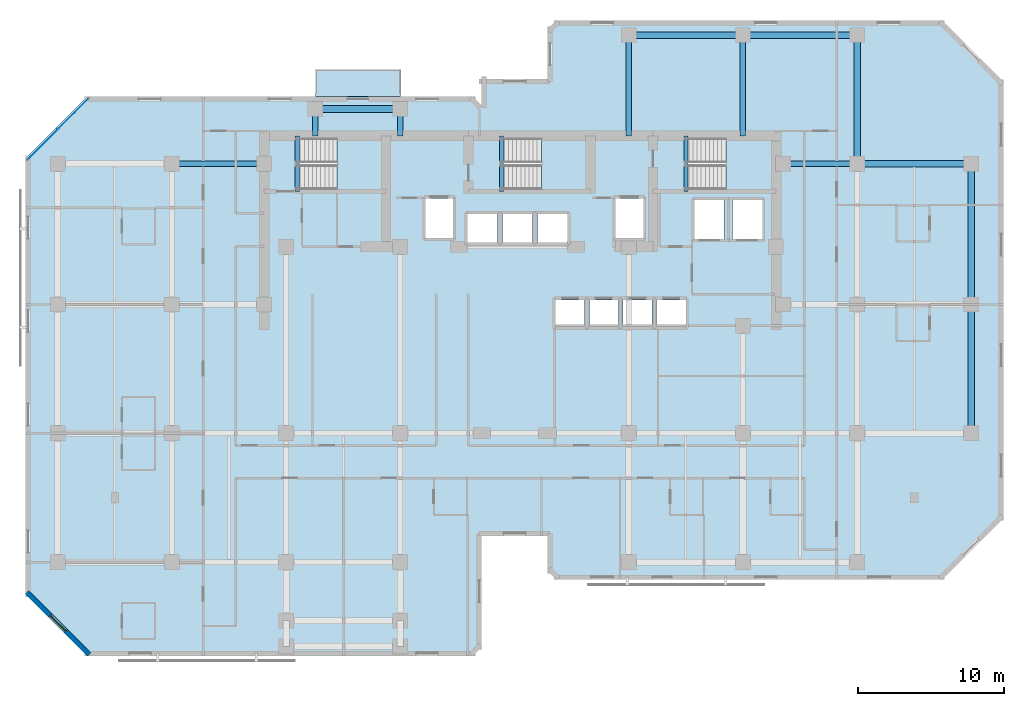
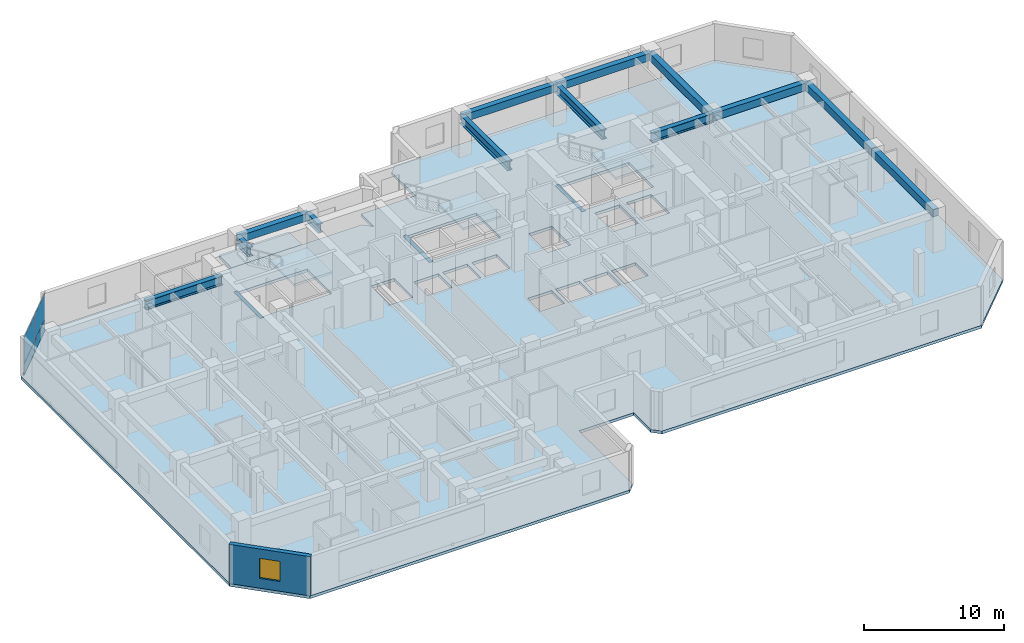
# One storey, part 3 of 11: 16 beams, 5 slabs, 4 plates, 1 wall, 1 window, 1 opening, 4 elements without a shape of their own.
"""IFC4 building model written with IfcOpenShell, lengths in metres."""

from ifc_helpers import new_model, si_unit, direction, frame, frame_2d, origin, origin_2d, place, context, subcontext, project, spatial, polyline, rectangle, i_section, outline, extrude, material, layer, layer_set, material_profile, profile_set, type_object, element, fill, aggregate, save


model = new_model("IFC4")

# Units and contexts
model_context = context("Model", 3, precision=1e-05, world=origin(), true_north=direction((0.0, 1.0)))
body_context = subcontext(model_context, "Body", "Model", "MODEL_VIEW")
ifc_project = project(units=[si_unit("LENGTHUNIT", "METRE"), si_unit("AREAUNIT", "SQUARE_METRE"), si_unit("VOLUMEUNIT", "CUBIC_METRE"), si_unit("PLANEANGLEUNIT", "RADIAN"), si_unit("MASSUNIT", "GRAM", prefix="KILO")], contexts=[model_context])

# Site, building, storey
site_placement = place(None, origin())
site = spatial("IfcSite", under=ifc_project, at=site_placement, CompositionType="ELEMENT")
building_placement = place(site_placement, origin())
building = spatial("IfcBuilding", under=site, at=building_placement, Name="Kestravale Grand Hotel", CompositionType="ELEMENT")
storey_placement = place(building_placement, frame((0.0, 0.0, 180.199951171875)))
storey = spatial("IfcBuildingStorey", under=building, at=storey_placement, Name="L45", CompositionType="ELEMENT", Elevation=180.199951171875)

# Beams
ifc_material_1 = material(Name="Concrete f'c 45 MPa", Category="concrete")
ifc_material_profile_1 = material_profile(ifc_material_1, rectangle(XDim=0.300048828125, YDim=0.39990234375, at=origin_2d()))
ifc_profile_set_1 = profile_set([ifc_material_profile_1], Name="Concrete f'c 45 MPa")
beam_type_1 = type_object("IfcBeamType", Name="B-FLR-LNT400", PredefinedType="LINTEL", material=ifc_profile_set_1)
for number, where, z_axis, x_axis, name in (
    (1, (24.159912109375, 36.52001953125, -0.199951171875), (0.0, 1.0, 0.0), (-1.0, 0.0, 0.0), "L45 ST1 flight bottom header beam"),
    (2, (38.110107421875, 36.52001953125, -0.199951171875), (0.0, 1.0, 0.0), (-1.0, 0.0, 0.0), "L45 ST2 flight bottom header beam"),
    (3, (50.7099609375, 36.52001953125, -0.199951171875), (0.0, 1.0, 0.0), (-1.0, 0.0, 0.0), "L45 ST3 flight bottom header beam"),
):
    element("IfcBeam", number, at=place(storey_placement, frame(where, z_axis=z_axis, x_axis=x_axis)), inside=storey, type_object=beam_type_1, Name=name, PredefinedType="LINTEL", context=body_context, shape_type="SweptSolid", body=[
        extrude(rectangle(XDim=0.300048828125, YDim=0.39990234375, at=origin_2d()), origin(), (0.0, 0.0, 1.0), 3.800048828125),
    ])
ifc_material_2 = material(Name="Concrete f'c 45 MPa", Category="concrete")
ifc_material_profile_2 = material_profile(ifc_material_2, rectangle(XDim=0.449951171875, YDim=0.64990234375, at=origin_2d()))
ifc_profile_set_2 = profile_set([ifc_material_profile_2], Name="Concrete f'c 45 MPa")
beam_type_2 = type_object("IfcBeamType", Name="B-FLR-RC650", PredefinedType="SPANDREL", material=ifc_profile_set_2)
for number, where, z_axis, x_axis, name in (
    (4, (62.39990234375, 38.39990234375, 3.094970703125), (1.0, 0.0, 0.0), (0.0, 1.0, 0.0), "L45 spandrel F:10-11"),
    (5, (46.800048828125, 47.199951171875, 3.094970703125), (1.0, 0.0, 0.0), (0.0, 1.0, 0.0), "L45 spandrel G:8-9"),
):
    element("IfcBeam", number, at=place(storey_placement, frame(where, z_axis=z_axis, x_axis=x_axis)), inside=storey, type_object=beam_type_2, Name=name, PredefinedType="SPANDREL", context=body_context, shape_type="SweptSolid", body=[
        extrude(rectangle(XDim=0.449951171875, YDim=0.64990234375, at=origin_2d()), origin(), (0.0, 0.0, 1.0), 7.800048828125),
    ])
beam_1_placement = place(storey_placement, frame((54.60009765625, 47.199951171875, 3.094970703125), z_axis=(1.0, 0.0, 0.0), x_axis=(0.0, 1.0, 0.0)))
element("IfcBeam", 6, at=beam_1_placement, inside=storey, type_object=beam_type_2, Name="L45 spandrel G:9-10", PredefinedType="SPANDREL", context=body_context, shape_type="SweptSolid", body=[
    extrude(rectangle(XDim=0.449951171875, YDim=0.64990234375, at=origin_2d()), origin(), (0.0, 0.0, 1.0), 7.7998046875),
])
beam_2_placement = place(storey_placement, frame((25.39990234375, 42.14990234375, 3.094970703125), z_axis=(1.0, 0.0, 0.0), x_axis=(0.0, 1.0, 0.0)))
element("IfcBeam", 7, at=beam_2_placement, inside=storey, type_object=beam_type_2, Name="L45 perimeter tie spandrel FN:4-5", PredefinedType="SPANDREL", context=body_context, shape_type="SweptSolid", body=[
    extrude(rectangle(XDim=0.449951171875, YDim=0.64990234375, at=origin_2d()), origin(), (0.0, 0.0, 1.0), 5.800048828125),
])
for number, where, z_axis, x_axis, name in (
    (8, (62.39990234375, 38.39990234375, 3.094970703125), (0.0, 1.0, 0.0), (-1.0, 0.0, 0.0), "L45 spandrel 10:F-G"),
    (9, (70.199951171875, 20.0, 3.094970703125), (0.0, 1.0, 0.0), (-1.0, 0.0, 0.0), "L45 spandrel 11:D-E"),
):
    element("IfcBeam", number, at=place(storey_placement, frame(where, z_axis=z_axis, x_axis=x_axis)), inside=storey, type_object=beam_type_2, Name=name, PredefinedType="SPANDREL", context=body_context, shape_type="SweptSolid", body=[
        extrude(rectangle(XDim=0.449951171875, YDim=0.64990234375, at=origin_2d()), origin(), (0.0, 0.0, 1.0), 8.800048828125),
    ])
beam_3_placement = place(storey_placement, frame((70.199951171875, 28.800048828125, 3.094970703125), z_axis=(0.0, 1.0, 0.0), x_axis=(-1.0, 0.0, 0.0)))
element("IfcBeam", 10, at=beam_3_placement, inside=storey, type_object=beam_type_2, Name="L45 spandrel 11:E-F", PredefinedType="SPANDREL", context=body_context, shape_type="SweptSolid", body=[
    extrude(rectangle(XDim=0.449951171875, YDim=0.64990234375, at=origin_2d()), origin(), (0.0, 0.0, 1.0), 9.599853515625),
])
ifc_material_3 = material(Name="Steel ASTM A992 Grade 50", Category="steel")
ifc_material_profile_3 = material_profile(ifc_material_3, i_section(OverallWidth=0.381103515625, OverallDepth=0.77197265625, WebThickness=0.0166015625, FlangeThickness=0.027099609375, FilletRadius=0.023681640625, at=origin_2d()))
ifc_profile_set_3 = profile_set([ifc_material_profile_3], Name="Steel ASTM A992 Grade 50")
beam_type_3 = type_object("IfcBeamType", Name="B-GRD-W30", PredefinedType="BEAM", material=ifc_profile_set_3)
beam_4_placement = place(storey_placement, frame((15.60009765625, 38.39990234375, 3.033935546875), z_axis=(1.0, 0.0, 0.0), x_axis=(0.0, 1.0, 0.0)))
element("IfcBeam", 11, at=beam_4_placement, inside=storey, type_object=beam_type_3, Name="L45 girder F:3-CW", PredefinedType="BEAM", context=body_context, shape_type="SweptSolid", body=[
    extrude(i_section(OverallWidth=0.381103515625, OverallDepth=0.77197265625, WebThickness=0.0166015625, FlangeThickness=0.027099609375, FilletRadius=0.023681640625, at=origin_2d()), origin(), (0.0, 0.0, 1.0), 6.2998046875),
])
beam_5_placement = place(storey_placement, frame((57.35009765625, 38.39990234375, 3.033935546875), z_axis=(1.0, 0.0, 0.0), x_axis=(0.0, 1.0, 0.0)))
element("IfcBeam", 12, at=beam_5_placement, inside=storey, type_object=beam_type_3, Name="L45 girder F:CE-10", PredefinedType="BEAM", context=body_context, shape_type="SweptSolid", body=[
    extrude(i_section(OverallWidth=0.381103515625, OverallDepth=0.77197265625, WebThickness=0.0166015625, FlangeThickness=0.027099609375, FilletRadius=0.023681640625, at=origin_2d()), origin(), (0.0, 0.0, 1.0), 5.0498046875),
])
for number, where, z_axis, x_axis, name in (
    (13, (25.39990234375, 40.320068359375, 3.033935546875), (0.0, 1.0, 0.0), (-1.0, 0.0, 0.0), "L45 north wing tie girder 4:CN-FN"),
    (14, (31.199951171875, 40.320068359375, 3.033935546875), (0.0, 1.0, 0.0), (-1.0, 0.0, 0.0), "L45 north wing tie girder 5:CN-FN"),
):
    element("IfcBeam", number, at=place(storey_placement, frame(where, z_axis=z_axis, x_axis=x_axis)), inside=storey, type_object=beam_type_3, Name=name, PredefinedType="BEAM", context=body_context, shape_type="SweptSolid", body=[
        extrude(i_section(OverallWidth=0.381103515625, OverallDepth=0.77197265625, WebThickness=0.0166015625, FlangeThickness=0.027099609375, FilletRadius=0.023681640625, at=origin_2d()), origin(), (0.0, 0.0, 1.0), 1.829833984375),
    ])
for number, where, z_axis, x_axis, name in (
    (15, (46.800048828125, 40.320068359375, 3.033935546875), (0.0, 1.0, 0.0), (-1.0, 0.0, 0.0), "L45 north wing tie girder 8:CN-G"),
    (16, (54.60009765625, 40.320068359375, 3.033935546875), (0.0, 1.0, 0.0), (-1.0, 0.0, 0.0), "L45 north wing tie girder 9:CN-G"),
):
    element("IfcBeam", number, at=place(storey_placement, frame(where, z_axis=z_axis, x_axis=x_axis)), inside=storey, type_object=beam_type_3, Name=name, PredefinedType="BEAM", context=body_context, shape_type="SweptSolid", body=[
        extrude(i_section(OverallWidth=0.381103515625, OverallDepth=0.77197265625, WebThickness=0.0166015625, FlangeThickness=0.027099609375, FilletRadius=0.023681640625, at=origin_2d()), origin(), (0.0, 0.0, 1.0), 6.8798828125),
    ])

# Curtain wall, plates
ifc_material_4 = material(Name="Thermally broken champagne-bronze aluminium and low-E glazing", Category="aluminium")
ifc_layer_1 = layer(ifc_material_4, 0.179931640625)
ifc_layer_set_1 = layer_set([ifc_layer_1], Name="CW-Z3")
curtain_wall_type = type_object("IfcCurtainWallType", Name="CW-Z3", PredefinedType="NOTDEFINED", material=ifc_layer_set_1)
curtain_wall_placement = place(storey_placement, origin())
curtain_wall = element("IfcCurtainWall", 17, at=curtain_wall_placement, inside=storey, type_object=curtain_wall_type, Name="L45 unitised curtain wall 18", PredefinedType="NOTDEFINED")
ifc_material_5 = material(Name="Insulated clear low-E double glazing IGU", Category="glass")
ifc_layer_2 = layer(ifc_material_5, 0.031982421875)
ifc_layer_set_2 = layer_set([ifc_layer_2], Name="CW-PNL-32")
plate_type = type_object("IfcPlateType", Name="CW-PNL-32", PredefinedType="CURTAIN_PANEL", material=ifc_layer_set_2)
plate_1_placement = place(storey_placement, frame((8.86572265625, 41.825439453125, 0.06494140625), z_axis=(0.0, 0.0, 1.0), x_axis=(-0.707106781187, -0.707106781187, 0.0)))
plate_1 = element("IfcPlate", 18, at=plate_1_placement, type_object=plate_type, Name="CW-Z3 panel 1.1", PredefinedType="CURTAIN_PANEL", context=body_context, shape_type="SweptSolid", body=[
    extrude(rectangle(XDim=2.892333984375, YDim=0.031982421875, at=origin_2d()), origin(), (0.0, 0.0, 1.0), 0.952392578125),
])
plate_2_placement = place(storey_placement, frame((8.86572265625, 41.825439453125, 1.08251953125), z_axis=(0.0, 0.0, 1.0), x_axis=(-0.707106781187, -0.707106781187, 0.0)))
plate_2 = element("IfcPlate", 19, at=plate_2_placement, type_object=plate_type, Name="CW-Z3 panel 1.2", PredefinedType="CURTAIN_PANEL", context=body_context, shape_type="SweptSolid", body=[
    extrude(rectangle(XDim=2.892333984375, YDim=0.031982421875, at=origin_2d()), origin(), (0.0, 0.0, 1.0), 2.2724609375),
])
plate_3_placement = place(storey_placement, frame((6.774658203125, 39.734130859375, 0.06494140625), z_axis=(0.0, 0.0, 1.0), x_axis=(-0.707106781187, -0.707106781187, 0.0)))
plate_3 = element("IfcPlate", 20, at=plate_3_placement, type_object=plate_type, Name="CW-Z3 panel 2.1", PredefinedType="CURTAIN_PANEL", context=body_context, shape_type="SweptSolid", body=[
    extrude(rectangle(XDim=2.892333984375, YDim=0.031982421875, at=origin_2d()), origin(), (0.0, 0.0, 1.0), 0.952392578125),
])
plate_4_placement = place(storey_placement, frame((6.774658203125, 39.734130859375, 1.08251953125), z_axis=(0.0, 0.0, 1.0), x_axis=(-0.707106781187, -0.707106781187, 0.0)))
plate_4 = element("IfcPlate", 21, at=plate_4_placement, type_object=plate_type, Name="CW-Z3 panel 2.2", PredefinedType="CURTAIN_PANEL", context=body_context, shape_type="SweptSolid", body=[
    extrude(rectangle(XDim=2.892333984375, YDim=0.031982421875, at=origin_2d()), origin(), (0.0, 0.0, 1.0), 2.2724609375),
])
aggregate(curtain_wall, [plate_1, plate_2, plate_3, plate_4])

# Slab
ifc_material_6 = material(Name="Concrete f'c 45 MPa", Category="concrete")
ifc_layer_3 = layer(ifc_material_6, 0.27001953125)
ifc_layer_set_3 = layer_set([ifc_layer_3], Name="ES-TERR-270")
slab_type_1 = type_object("IfcSlabType", Name="ES-TERR-270", PredefinedType="FLOOR", material=ifc_layer_set_3)
slab_1_placement = place(storey_placement, frame((0.0, 0.0, -0.27001953125)))
element("IfcSlab", 22, at=slab_1_placement, inside=storey, type_object=slab_type_1, Name="L45 spiralling planted garden terrace", PredefinedType="FLOOR", context=body_context, shape_type="SweptSolid", body=[
    extrude(outline(polyline([(25.39990234375, 43.0), (31.199951171875, 43.0), (31.199951171875, 44.85009765625), (25.39990234375, 44.85009765625), (25.39990234375, 43.0)])), origin(), (0.0, 0.0, 1.0), 0.27001953125),
])

# Stair, slab
ifc_material_7 = material(Name="Concrete f'c 45 MPa", Category="concrete")
stair_type = type_object("IfcStairType", Name="ST-CORE-380", PredefinedType="HALF_TURN_STAIR", material=ifc_material_7)
stair_1_placement = place(storey_placement, origin())
stair_1 = element("IfcStair", 23, at=stair_1_placement, inside=storey, type_object=stair_type, Name="L45 ST-1", PredefinedType="HALF_TURN_STAIR")
ifc_material_8 = material(Name="Concrete f'c 45 MPa", Category="concrete")
ifc_layer_4 = layer(ifc_material_8, 0.199951171875)
ifc_layer_set_4 = layer_set([ifc_layer_4], Name="SLB-ST-LND200")
slab_type_2 = type_object("IfcSlabType", Name="SLB-ST-LND200", PredefinedType="LANDING", material=ifc_layer_set_4)
slab_2_placement = place(storey_placement, frame((0.0, 0.0, 1.699951171875)))
slab_2 = element("IfcSlab", 24, at=slab_2_placement, type_object=slab_type_2, Name="ST-1 landing 1", PredefinedType="LANDING", context=body_context, shape_type="SweptSolid", body=[
    extrude(outline(polyline([(26.8798828125, 36.64990234375), (30.0, 36.64990234375), (30.0, 40.159912109375), (26.8798828125, 40.159912109375), (26.8798828125, 36.64990234375)])), origin(), (0.0, 0.0, 1.0), 0.2001953125),
])
aggregate(stair_1, [slab_2])

stair_2_placement = place(storey_placement, origin())
stair_2 = element("IfcStair", 25, at=stair_2_placement, inside=storey, type_object=stair_type, Name="L45 ST-2", PredefinedType="HALF_TURN_STAIR")
slab_3_placement = place(storey_placement, frame((0.0, 0.0, 1.699951171875)))
slab_3 = element("IfcSlab", 26, at=slab_3_placement, type_object=slab_type_2, Name="ST-2 landing 1", PredefinedType="LANDING", context=body_context, shape_type="SweptSolid", body=[
    extrude(outline(polyline([(40.830078125, 36.64990234375), (43.949951171875, 36.64990234375), (43.949951171875, 40.159912109375), (40.830078125, 40.159912109375), (40.830078125, 36.64990234375)])), origin(), (0.0, 0.0, 1.0), 0.2001953125),
])
aggregate(stair_2, [slab_3])

stair_3_placement = place(storey_placement, origin())
stair_3 = element("IfcStair", 27, at=stair_3_placement, inside=storey, type_object=stair_type, Name="L45 ST-3", PredefinedType="HALF_TURN_STAIR")
slab_4_placement = place(storey_placement, frame((0.0, 0.0, 1.699951171875)))
slab_4 = element("IfcSlab", 28, at=slab_4_placement, type_object=slab_type_2, Name="ST-3 landing 1", PredefinedType="LANDING", context=body_context, shape_type="SweptSolid", body=[
    extrude(outline(polyline([(53.429931640625, 36.64990234375), (56.550048828125, 36.64990234375), (56.550048828125, 40.159912109375), (53.429931640625, 40.159912109375), (53.429931640625, 36.64990234375)])), origin(), (0.0, 0.0, 1.0), 0.2001953125),
])
aggregate(stair_3, [slab_4])

# Slab
ifc_material_9 = material(Name="Concrete f'c 45 MPa", Category="concrete")
ifc_layer_5 = layer(ifc_material_9, 0.25)
ifc_layer_set_5 = layer_set([ifc_layer_5], Name="SS-FLR-250")
slab_type_3 = type_object("IfcSlabType", Name="SS-FLR-250", PredefinedType="FLOOR", material=ifc_layer_set_5)
slab_5_placement = place(storey_placement, frame((0.0, 0.0, -0.25)))
element("IfcSlab", 29, at=slab_5_placement, inside=storey, type_object=slab_type_3, Name="L45 structural floor slab", PredefinedType="FLOOR", context=body_context, shape_type="SweptSolid", body=[
    extrude(outline(polyline([(9.800048828125, 4.800048828125), (36.14990234375, 4.800048828125), (36.75, 5.39990234375), (36.75, 13.0), (41.25, 13.0), (41.25, 10.60009765625), (41.85009765625, 10.0), (68.199951171875, 10.0), (72.39990234375, 14.199951171875), (72.39990234375, 44.0), (68.199951171875, 48.199951171875), (41.85009765625, 48.199951171875), (41.25, 47.60009765625), (41.25, 44.199951171875), (36.75, 44.199951171875), (36.75, 42.39990234375), (36.14990234375, 43.0), (9.800048828125, 43.0), (5.60009765625, 38.800048828125), (5.60009765625, 9.0), (9.800048828125, 4.800048828125)]), holes=[polyline([(24.080078125, 36.64990234375), (30.0, 36.64990234375), (30.0, 40.159912109375), (24.080078125, 40.159912109375), (24.080078125, 36.64990234375)]), polyline([(38.030029296875, 36.64990234375), (43.949951171875, 36.64990234375), (43.949951171875, 40.159912109375), (38.030029296875, 40.159912109375), (38.030029296875, 36.64990234375)]), polyline([(50.6298828125, 36.64990234375), (56.550048828125, 36.64990234375), (56.550048828125, 40.159912109375), (50.6298828125, 40.159912109375), (50.6298828125, 36.64990234375)]), polyline([(41.804931640625, 27.280029296875), (43.794921875, 27.280029296875), (43.794921875, 29.1201171875), (41.804931640625, 29.1201171875), (41.804931640625, 27.280029296875)]), polyline([(44.10498046875, 27.280029296875), (46.094970703125, 27.280029296875), (46.094970703125, 29.1201171875), (44.10498046875, 29.1201171875), (44.10498046875, 27.280029296875)]), polyline([(46.405029296875, 27.280029296875), (48.39501953125, 27.280029296875), (48.39501953125, 29.1201171875), (46.405029296875, 29.1201171875), (46.405029296875, 27.280029296875)]), polyline([(48.705078125, 27.280029296875), (50.695068359375, 27.280029296875), (50.695068359375, 29.1201171875), (48.705078125, 29.1201171875), (48.705078125, 27.280029296875)]), polyline([(35.780029296875, 33.030029296875), (37.820068359375, 33.030029296875), (37.820068359375, 34.969970703125), (35.780029296875, 34.969970703125), (35.780029296875, 33.030029296875)]), polyline([(38.179931640625, 33.030029296875), (40.219970703125, 33.030029296875), (40.219970703125, 34.969970703125), (38.179931640625, 34.969970703125), (38.179931640625, 33.030029296875)]), polyline([(40.580078125, 33.030029296875), (42.6201171875, 33.030029296875), (42.6201171875, 34.969970703125), (40.580078125, 34.969970703125), (40.580078125, 33.030029296875)]), polyline([(32.905029296875, 33.35498046875), (34.794921875, 33.35498046875), (34.794921875, 36.044921875), (32.905029296875, 36.044921875), (32.905029296875, 33.35498046875)]), polyline([(45.905029296875, 33.35498046875), (47.794921875, 33.35498046875), (47.794921875, 36.044921875), (45.905029296875, 36.044921875), (45.905029296875, 33.35498046875)]), polyline([(51.280029296875, 33.280029296875), (53.320068359375, 33.280029296875), (53.320068359375, 35.919921875), (51.280029296875, 35.919921875), (51.280029296875, 33.280029296875)]), polyline([(53.8798828125, 33.280029296875), (55.919921875, 33.280029296875), (55.919921875, 35.919921875), (53.8798828125, 35.919921875), (53.8798828125, 33.280029296875)])]), origin(), (0.0, 0.0, 1.0), 0.25),
])

# Wall, opening, window
ifc_material_10 = material(Name="Precast concrete f'c 45 MPa", Category="concrete")
ifc_layer_6 = layer(ifc_material_10, 0.340087890625)
ifc_layer_set_6 = layer_set([ifc_layer_6], Name="EW-PREC-340")
wall_type = type_object("IfcWallType", Name="EW-PREC-340", PredefinedType="SOLIDWALL", material=ifc_layer_set_6)
wall_placement = place(storey_placement, frame((5.69189453125, 9.1484375, 0.0), z_axis=(0.0, 0.0, 1.0), x_axis=(0.707106781187, -0.707106781187, 0.0)))
wall = element("IfcWall", 30, at=wall_placement, inside=storey, type_object=wall_type, Name="L45 fluted precast facade wall 20", PredefinedType="SOLIDWALL", context=body_context, shape_type="SweptSolid", body=[
    extrude(rectangle(XDim=6.019775390625, YDim=0.340087890625, at=frame_2d((3.009765625, 0.0))), origin(), (0.0, 0.0, 1.0), 3.420166015625),
])
opening_placement = place(wall_placement, frame((2.260009765625, 0.0, 0.85009765625)))
opening = element("IfcOpeningElement", 31, at=opening_placement, cuts=wall, Name="Opening W-GUEST-1500", PredefinedType="OPENING", context=body_context, shape_type="SweptSolid", body=[
    extrude(rectangle(XDim=1.5, YDim=1.75, at=frame_2d((0.75, 0.875))), frame((0.0, 0.179931640625, 0.0), z_axis=(0.0, -1.0, 0.0), x_axis=(1.0, 0.0, 0.0)), (0.0, 0.0, 1.0), 0.360107421875),
])
ifc_material_11 = material(Name="Insulated low-E double glazing in aluminium frame", Category="aluminium")
window_type = type_object("IfcWindowType", Name="W-GUEST-1500", PartitioningType="SINGLE_PANEL", PredefinedType="WINDOW", material=ifc_material_11)
window_placement = place(opening_placement, origin())
window = element("IfcWindow", 32, at=window_placement, inside=storey, type_object=window_type, Name="L45 exterior window 20.1", OverallHeight=1.75, OverallWidth=1.5, PartitioningType="SINGLE_PANEL", PredefinedType="WINDOW", context=body_context, shape_type="SweptSolid", body=[
    extrude(rectangle(XDim=1.5, YDim=1.75, at=frame_2d((0.75, 0.875))), frame((0.0, 0.030029296875, 0.0), z_axis=(0.0, -1.0, 0.0), x_axis=(1.0, 0.0, 0.0)), (0.0, 0.0, 1.0), 0.06005859375),
])
fill(opening, window)

save(model, "model.ifc")
